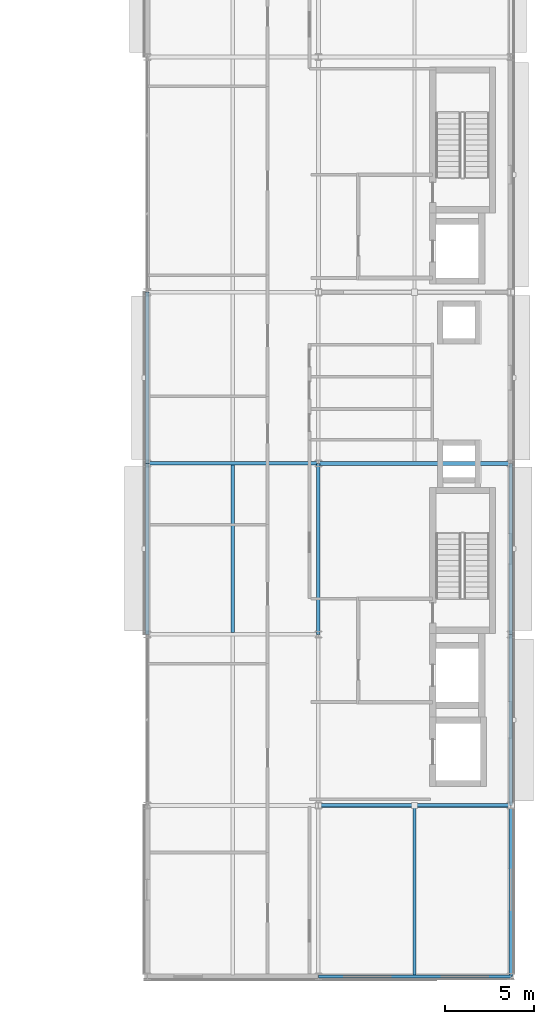
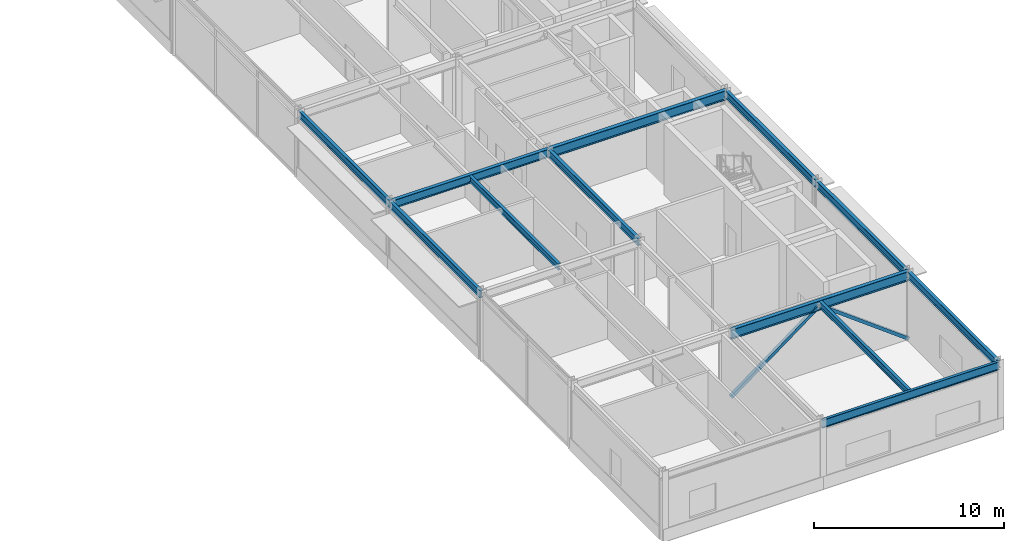
# One storey, part 20 of 50: 12 beams, 2 members.
"""IFC4 building model written with IfcOpenShell, lengths in metres."""

from ifc_helpers import new_model, si_unit, direction, frame, origin, origin_2d, place, context, subcontext, project, spatial, hollow_rectangle, i_section, extrude, material, material_profile, profile_set, type_object, element, save


model = new_model("IFC4")

# Units and contexts
model_context = context("Model", 3, precision=1e-05, world=origin(), true_north=direction((0.0, 1.0)))
body_context = subcontext(model_context, "Body", "Model", "MODEL_VIEW")
ifc_project = project(units=[si_unit("LENGTHUNIT", "METRE"), si_unit("AREAUNIT", "SQUARE_METRE"), si_unit("VOLUMEUNIT", "CUBIC_METRE"), si_unit("PLANEANGLEUNIT", "RADIAN"), si_unit("MASSUNIT", "GRAM", prefix="KILO")], contexts=[model_context])

# Site, building, storey
site_placement = place(None, origin())
site = spatial("IfcSite", under=ifc_project, at=site_placement, CompositionType="ELEMENT")
building_placement = place(site_placement, origin())
building = spatial("IfcBuilding", under=site, at=building_placement, Name="Almandine Court Research Institute", CompositionType="ELEMENT")
storey_placement = place(building_placement, frame((0.0, 0.0, 23.449951171875)))
storey = spatial("IfcBuildingStorey", under=building, at=storey_placement, Name="L05", CompositionType="ELEMENT", Elevation=23.449951171875)

# Beams
ifc_material_1 = material(Name="Steel ASTM A992 Grade 50", Category="steel")
ifc_material_profile_1 = material_profile(ifc_material_1, i_section(OverallWidth=0.18994140625, OverallDepth=0.45703125, WebThickness=0.009033203125, FlangeThickness=0.014892578125, at=origin_2d()), Name="W460x74")
ifc_profile_set_1 = profile_set([ifc_material_profile_1], Name="Steel ASTM A992 Grade 50")
beam_type_1 = type_object("IfcBeamType", Name="Beam-B-01", PredefinedType="BEAM", material=ifc_profile_set_1)
for number, where, z_axis, x_axis, name in (
    (1, (153.60009765625, 25.199951171875, 4.156982421875), (0.0, 1.0, 0.0), (-1.0, 0.0, 0.0), "L05 V4 Primary Y Girder"),
    (2, (163.199951171875, 25.199951171875, 4.156982421875), (0.0, 1.0, 0.0), (-1.0, 0.0, 0.0), "L05 V4 Primary Y Girder"),
):
    element("IfcBeam", number, at=place(storey_placement, frame(where, z_axis=z_axis, x_axis=x_axis)), inside=storey, type_object=beam_type_1, Name=name, PredefinedType="BEAM", context=body_context, shape_type="SweptSolid", body=[
        extrude(i_section(OverallWidth=0.18994140625, OverallDepth=0.45703125, WebThickness=0.009033203125, FlangeThickness=0.014892578125, at=origin_2d()), origin(), (0.0, 0.0, 1.0), 9.60009765625),
    ])
beam_1_placement = place(storey_placement, frame((153.60009765625, 34.800048828125, 4.156982421875), z_axis=(0.0, 1.0, 0.0), x_axis=(-1.0, 0.0, 0.0)))
element("IfcBeam", 3, at=beam_1_placement, inside=storey, type_object=beam_type_1, Name="L05 V4 Primary Y Girder", PredefinedType="BEAM", context=body_context, shape_type="SweptSolid", body=[
    extrude(i_section(OverallWidth=0.18994140625, OverallDepth=0.45703125, WebThickness=0.009033203125, FlangeThickness=0.014892578125, at=origin_2d()), origin(), (0.0, 0.0, 1.0), 9.599853515625),
])
ifc_material_profile_2 = material_profile(ifc_material_1, i_section(OverallWidth=0.178955078125, OverallDepth=0.409912109375, WebThickness=0.009033203125, FlangeThickness=0.013916015625, at=origin_2d()), Name="W410x67")
ifc_profile_set_2 = profile_set([ifc_material_profile_2], Name="Steel ASTM A992 Grade 50")
beam_type_2 = type_object("IfcBeamType", Name="Beam-B-02", PredefinedType="JOIST", material=ifc_profile_set_2)
beam_2_placement = place(storey_placement, frame((168.60009765625, 6.0810546875, 4.179931640625), z_axis=(0.0, 1.0, 0.0), x_axis=(-1.0, 0.0, 0.0)))
element("IfcBeam", 4, at=beam_2_placement, inside=storey, type_object=beam_type_2, Name="L05 V4 Composite Secondary Beam", PredefinedType="JOIST", context=body_context, shape_type="SweptSolid", body=[
    extrude(i_section(OverallWidth=0.178955078125, OverallDepth=0.409912109375, WebThickness=0.009033203125, FlangeThickness=0.013916015625, at=origin_2d()), origin(), (0.0, 0.0, 1.0), 9.406005859375),
])
beam_3_placement = place(storey_placement, frame((158.39990234375, 25.302978515625, 4.179931640625), z_axis=(0.0, 1.0, 0.0), x_axis=(-1.0, 0.0, 0.0)))
element("IfcBeam", 5, at=beam_3_placement, inside=storey, type_object=beam_type_2, Name="L05 V4 Composite Secondary Beam", PredefinedType="JOIST", context=body_context, shape_type="SweptSolid", body=[
    extrude(i_section(OverallWidth=0.178955078125, OverallDepth=0.409912109375, WebThickness=0.009033203125, FlangeThickness=0.013916015625, at=origin_2d()), origin(), (0.0, 0.0, 1.0), 9.39404296875),
])
ifc_material_profile_3 = material_profile(ifc_material_1, i_section(OverallWidth=0.22998046875, OverallDepth=0.616943359375, WebThickness=0.012939453125, FlangeThickness=0.02197265625, at=origin_2d()), Name="W610x140")
ifc_profile_set_3 = profile_set([ifc_material_profile_3], Name="Steel ASTM A992 Grade 50")
beam_type_3 = type_object("IfcBeamType", Name="Beam-G-02", PredefinedType="BEAM", material=ifc_profile_set_3)
for number, where, z_axis, x_axis, name in (
    (6, (163.199951171875, 15.60009765625, 4.0771484375), (1.0, 0.0, 0.0), (0.0, 1.0, 0.0), "L05 V4 Primary X Girder"),
    (7, (163.199951171875, 34.800048828125, 4.0771484375), (1.0, 0.0, 0.0), (0.0, 1.0, 0.0), "L05 V4 Primary X Girder"),
):
    element("IfcBeam", number, at=place(storey_placement, frame(where, z_axis=z_axis, x_axis=x_axis)), inside=storey, type_object=beam_type_3, Name=name, PredefinedType="BEAM", context=body_context, shape_type="SweptSolid", body=[
        extrude(i_section(OverallWidth=0.22998046875, OverallDepth=0.616943359375, WebThickness=0.012939453125, FlangeThickness=0.02197265625, at=origin_2d()), origin(), (0.0, 0.0, 1.0), 10.800048828125),
    ])
ifc_material_profile_4 = material_profile(ifc_material_1, i_section(OverallWidth=0.2109375, OverallDepth=0.5390625, WebThickness=0.011962890625, FlangeThickness=0.01904296875, at=origin_2d()), Name="W530x109")
ifc_profile_set_4 = profile_set([ifc_material_profile_4], Name="Steel ASTM A992 Grade 50")
beam_type_4 = type_object("IfcBeamType", Name="Beam-G-04", PredefinedType="BEAM", material=ifc_profile_set_4)
beam_4_placement = place(storey_placement, frame((153.60009765625, 34.800048828125, 4.115966796875), z_axis=(1.0, 0.0, 0.0), x_axis=(0.0, 1.0, 0.0)))
element("IfcBeam", 8, at=beam_4_placement, inside=storey, type_object=beam_type_4, Name="L05 V4 Primary X Girder", PredefinedType="BEAM", context=body_context, shape_type="SweptSolid", body=[
    extrude(i_section(OverallWidth=0.2109375, OverallDepth=0.5390625, WebThickness=0.011962890625, FlangeThickness=0.01904296875, at=origin_2d()), origin(), (0.0, 0.0, 1.0), 9.599853515625),
])
ifc_material_profile_5 = material_profile(ifc_material_1, i_section(OverallWidth=0.166015625, OverallDepth=0.534912109375, WebThickness=0.010009765625, FlangeThickness=0.01708984375, at=origin_2d()), Name="W530x85")
ifc_profile_set_5 = profile_set([ifc_material_profile_5], Name="Steel ASTM A992 Grade 50")
beam_type_5 = type_object("IfcBeamType", Name="Beam-G-05-E", PredefinedType="SPANDREL", material=ifc_profile_set_5)
beam_5_placement = place(storey_placement, frame((163.199951171875, 6.0, 4.1181640625), z_axis=(1.0, 0.0, 0.0), x_axis=(0.0, 1.0, 0.0)))
element("IfcBeam", 9, at=beam_5_placement, inside=storey, type_object=beam_type_5, Name="L05 V4 Primary X Girder", PredefinedType="SPANDREL", context=body_context, shape_type="SweptSolid", body=[
    extrude(i_section(OverallWidth=0.166015625, OverallDepth=0.534912109375, WebThickness=0.010009765625, FlangeThickness=0.01708984375, at=origin_2d()), origin(), (0.0, 0.0, 1.0), 10.800048828125),
])
ifc_material_profile_6 = material_profile(ifc_material_1, i_section(OverallWidth=0.193115234375, OverallDepth=0.466064453125, WebThickness=0.010986328125, FlangeThickness=0.01904296875, at=origin_2d()), Name="W460x97")
ifc_profile_set_6 = profile_set([ifc_material_profile_6], Name="Steel ASTM A992 Grade 50")
beam_type_6 = type_object("IfcBeamType", Name="Beam-G-06-E", PredefinedType="SPANDREL", material=ifc_profile_set_6)
beam_6_placement = place(storey_placement, frame((174.0, 6.0, 4.152099609375), z_axis=(0.0, 1.0, 0.0), x_axis=(-1.0, 0.0, 0.0)))
element("IfcBeam", 10, at=beam_6_placement, inside=storey, type_object=beam_type_6, Name="L05 V4 Primary Y Girder", PredefinedType="SPANDREL", context=body_context, shape_type="SweptSolid", body=[
    extrude(i_section(OverallWidth=0.193115234375, OverallDepth=0.466064453125, WebThickness=0.010986328125, FlangeThickness=0.01904296875, at=origin_2d()), origin(), (0.0, 0.0, 1.0), 9.60009765625),
])
beam_7_placement = place(storey_placement, frame((174.0, 15.60009765625, 4.152099609375), z_axis=(0.0, 1.0, 0.0), x_axis=(-1.0, 0.0, 0.0)))
element("IfcBeam", 11, at=beam_7_placement, inside=storey, type_object=beam_type_6, Name="L05 V4 Primary Y Girder", PredefinedType="SPANDREL", context=body_context, shape_type="SweptSolid", body=[
    extrude(i_section(OverallWidth=0.193115234375, OverallDepth=0.466064453125, WebThickness=0.010986328125, FlangeThickness=0.01904296875, at=origin_2d()), origin(), (0.0, 0.0, 1.0), 9.599853515625),
])
beam_8_placement = place(storey_placement, frame((174.0, 25.199951171875, 4.152099609375), z_axis=(0.0, 1.0, 0.0), x_axis=(-1.0, 0.0, 0.0)))
element("IfcBeam", 12, at=beam_8_placement, inside=storey, type_object=beam_type_6, Name="L05 V4 Primary Y Girder", PredefinedType="SPANDREL", context=body_context, shape_type="SweptSolid", body=[
    extrude(i_section(OverallWidth=0.193115234375, OverallDepth=0.466064453125, WebThickness=0.010986328125, FlangeThickness=0.01904296875, at=origin_2d()), origin(), (0.0, 0.0, 1.0), 9.60009765625),
])

# Members
ifc_material_2 = material(Name="Steel ASTM A500 Grade C", Category="steel")
ifc_material_profile_7 = material_profile(ifc_material_2, hollow_rectangle(XDim=0.199951171875, YDim=0.199951171875, WallThickness=0.008056640625, at=origin_2d()), Name="HSS 200x200x8")
ifc_profile_set_7 = profile_set([ifc_material_profile_7], Name="Steel ASTM A500 Grade C")
member_type = type_object("IfcMemberType", Name="Mem-BF-BR2", PredefinedType="BRACE", material=ifc_profile_set_7)
for number, where, z_axis, x_axis, name in (
    (13, (163.199951171875, 15.60009765625, 0.02001953125), (0.801428188232, 0.0, 0.598091012394), (0.0, 1.0, 0.0), "L05 Seismic Chevron Brace V4-BF1 Left"),
    (14, (174.0, 15.60009765625, 0.02001953125), (-0.801415226812, 0.0, 0.598108380007), (0.0, -1.0, 0.0), "L05 Seismic Chevron Brace V4-BF1 Right"),
):
    element("IfcMember", number, at=place(storey_placement, frame(where, z_axis=z_axis, x_axis=x_axis)), inside=storey, type_object=member_type, Name=name, PredefinedType="BRACE", context=body_context, shape_type="SweptSolid", body=[
        extrude(hollow_rectangle(XDim=0.199951171875, YDim=0.199951171875, WallThickness=0.008056640625, at=origin_2d()), origin(), (0.0, 0.0, 1.0), 6.738037109375),
    ])

save(model, "model.ifc")
